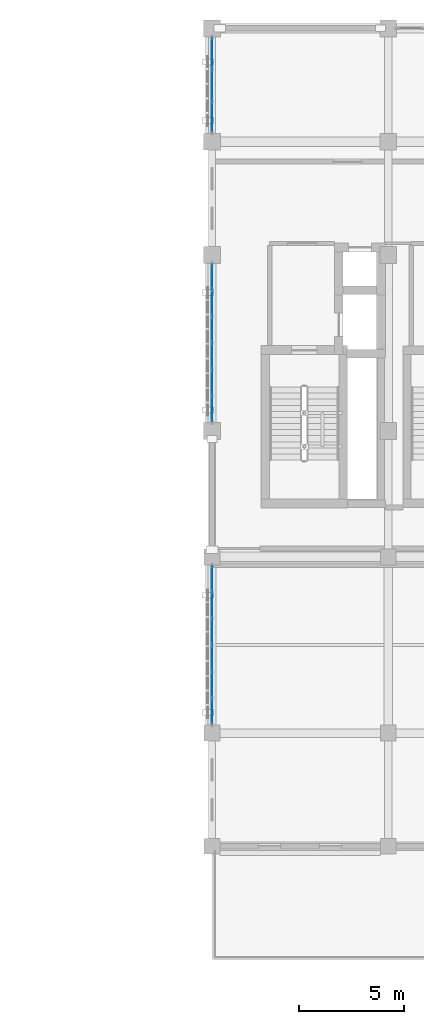
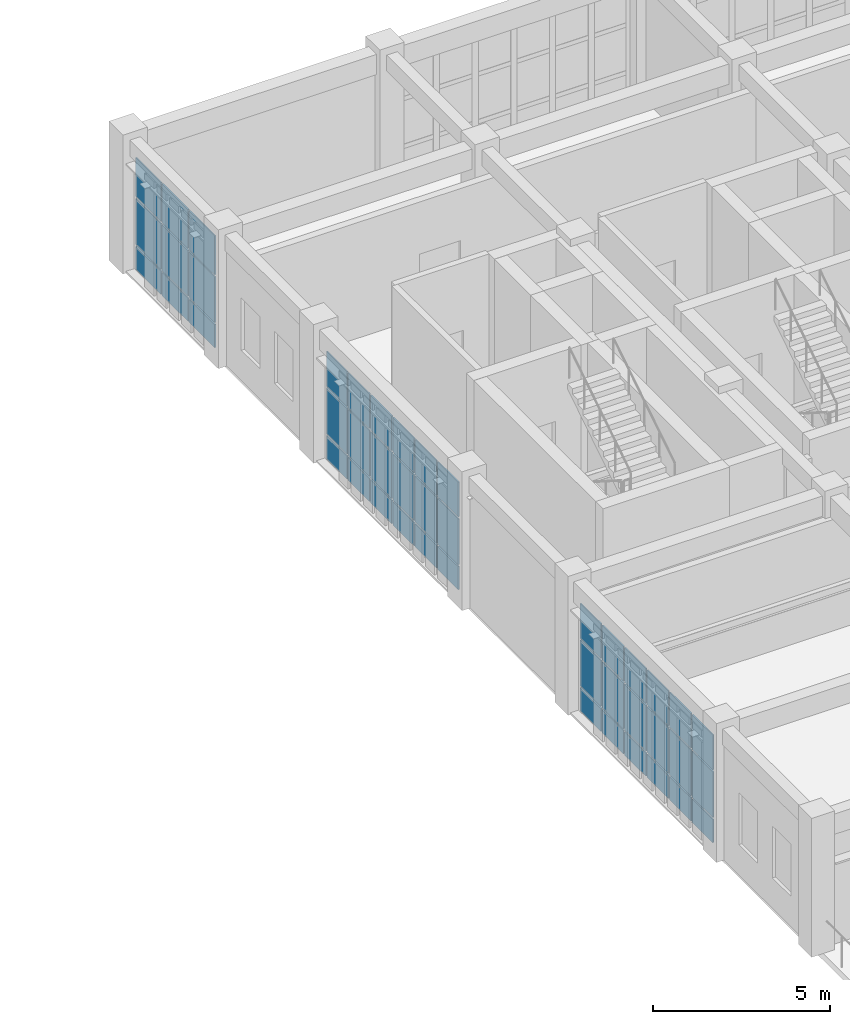
# One storey, part 58 of 76: 45 plates, 3 elements without a shape of their own.
"""IFC4 building model written with IfcOpenShell, lengths in metres."""

from ifc_helpers import new_model, si_unit, direction, frame, origin, origin_2d, place, context, subcontext, project, spatial, rectangle, extrude, material, layer, layer_set, type_object, element, aggregate, save


model = new_model("IFC4")

# Units and contexts
model_context = context("Model", 3, precision=1e-05, world=origin(), true_north=direction((0.0, 1.0)))
body_context = subcontext(model_context, "Body", "Model", "MODEL_VIEW")
ifc_project = project(units=[si_unit("LENGTHUNIT", "METRE"), si_unit("AREAUNIT", "SQUARE_METRE"), si_unit("VOLUMEUNIT", "CUBIC_METRE"), si_unit("PLANEANGLEUNIT", "RADIAN"), si_unit("MASSUNIT", "GRAM", prefix="KILO")], contexts=[model_context])

# Site, building, storey
site_placement = place(None, origin())
site = spatial("IfcSite", under=ifc_project, at=site_placement, CompositionType="ELEMENT")
building_placement = place(site_placement, origin())
building = spatial("IfcBuilding", under=site, at=building_placement, Name="Krzemoval Escarpment Law Courts", CompositionType="ELEMENT")
storey_placement = place(building_placement, frame((0.0, 0.0, 20.39990234375)))
storey = spatial("IfcBuildingStorey", under=building, at=storey_placement, Name="L04", CompositionType="ELEMENT", Elevation=20.39990234375)

# Curtain wall, plates
ifc_material_1 = material(Name="Aluminium 6063-T6", Category="aluminium")
ifc_layer_1 = layer(ifc_material_1, 0.219970703125)
ifc_layer_set_1 = layer_set([ifc_layer_1], Name="Aluminium 6063-T6")
curtain_wall_type = type_object("IfcCurtainWallType", Name="CW-CHMB-4200", PredefinedType="USERDEFINED", material=ifc_layer_set_1)
curtain_wall_1_placement = place(storey_placement, origin())
curtain_wall_1 = element("IfcCurtainWall", 1, at=curtain_wall_1_placement, inside=storey, type_object=curtain_wall_type, Name="Unitised Curtain Wall FCW-L04-123", ObjectType="UNITISED_CURTAIN_WALL", PredefinedType="USERDEFINED")
ifc_material_2 = material(Name="Triple Glazing IGU", Category="glass")
ifc_layer_2 = layer(ifc_material_2, 0.0419921875)
ifc_layer_set_2 = layer_set([ifc_layer_2], Name="Triple Glazing IGU")
plate_type = type_object("IfcPlateType", Name="CWP-GLZ-42", PredefinedType="CURTAIN_PANEL", material=ifc_layer_set_2)
plate_1_placement = place(storey_placement, frame((126.0, 86.228759765625, 0.06494140625), z_axis=(0.0, 0.0, 1.0), x_axis=(0.0, 1.0, 0.0)))
plate_1 = element("IfcPlate", 2, at=plate_1_placement, type_object=plate_type, Name="FCW-L04-123 panel 1.1", PredefinedType="CURTAIN_PANEL", context=body_context, shape_type="SweptSolid", body=[
    extrude(rectangle(XDim=1.177490234375, YDim=0.0419921875, at=origin_2d()), origin(), (0.0, 0.0, 1.0), 0.802490234375),
])
plate_2_placement = place(storey_placement, frame((126.0, 86.228759765625, 0.9326171875), z_axis=(0.0, 0.0, 1.0), x_axis=(0.0, 1.0, 0.0)))
plate_2 = element("IfcPlate", 3, at=plate_2_placement, type_object=plate_type, Name="FCW-L04-123 panel 1.2", PredefinedType="CURTAIN_PANEL", context=body_context, shape_type="SweptSolid", body=[
    extrude(rectangle(XDim=1.177490234375, YDim=0.0419921875, at=origin_2d()), origin(), (0.0, 0.0, 1.0), 1.5849609375),
])
plate_3_placement = place(storey_placement, frame((126.0, 86.228759765625, 2.58251953125), z_axis=(0.0, 0.0, 1.0), x_axis=(0.0, 1.0, 0.0)))
plate_3 = element("IfcPlate", 4, at=plate_3_placement, type_object=plate_type, Name="FCW-L04-123 panel 1.3", PredefinedType="CURTAIN_PANEL", context=body_context, shape_type="SweptSolid", body=[
    extrude(rectangle(XDim=1.177490234375, YDim=0.0419921875, at=origin_2d()), origin(), (0.0, 0.0, 1.0), 1.202392578125),
])
plate_4_placement = place(storey_placement, frame((126.0, 87.487548828125, 0.06494140625), z_axis=(0.0, 0.0, 1.0), x_axis=(0.0, 1.0, 0.0)))
plate_4 = element("IfcPlate", 5, at=plate_4_placement, type_object=plate_type, Name="FCW-L04-123 panel 2.1", PredefinedType="CURTAIN_PANEL", context=body_context, shape_type="SweptSolid", body=[
    extrude(rectangle(XDim=1.2099609375, YDim=0.0419921875, at=origin_2d()), origin(), (0.0, 0.0, 1.0), 0.802490234375),
])
plate_5_placement = place(storey_placement, frame((126.0, 87.487548828125, 0.9326171875), z_axis=(0.0, 0.0, 1.0), x_axis=(0.0, 1.0, 0.0)))
plate_5 = element("IfcPlate", 6, at=plate_5_placement, type_object=plate_type, Name="FCW-L04-123 panel 2.2", PredefinedType="CURTAIN_PANEL", context=body_context, shape_type="SweptSolid", body=[
    extrude(rectangle(XDim=1.2099609375, YDim=0.0419921875, at=origin_2d()), origin(), (0.0, 0.0, 1.0), 1.5849609375),
])
plate_6_placement = place(storey_placement, frame((126.0, 87.487548828125, 2.58251953125), z_axis=(0.0, 0.0, 1.0), x_axis=(0.0, 1.0, 0.0)))
plate_6 = element("IfcPlate", 7, at=plate_6_placement, type_object=plate_type, Name="FCW-L04-123 panel 2.3", PredefinedType="CURTAIN_PANEL", context=body_context, shape_type="SweptSolid", body=[
    extrude(rectangle(XDim=1.2099609375, YDim=0.0419921875, at=origin_2d()), origin(), (0.0, 0.0, 1.0), 1.202392578125),
])
plate_7_placement = place(storey_placement, frame((126.0, 88.762451171875, 0.06494140625), z_axis=(0.0, 0.0, 1.0), x_axis=(0.0, 1.0, 0.0)))
plate_7 = element("IfcPlate", 8, at=plate_7_placement, type_object=plate_type, Name="FCW-L04-123 panel 3.1", PredefinedType="CURTAIN_PANEL", context=body_context, shape_type="SweptSolid", body=[
    extrude(rectangle(XDim=1.2099609375, YDim=0.0419921875, at=origin_2d()), origin(), (0.0, 0.0, 1.0), 0.802490234375),
])
plate_8_placement = place(storey_placement, frame((126.0, 88.762451171875, 0.9326171875), z_axis=(0.0, 0.0, 1.0), x_axis=(0.0, 1.0, 0.0)))
plate_8 = element("IfcPlate", 9, at=plate_8_placement, type_object=plate_type, Name="FCW-L04-123 panel 3.2", PredefinedType="CURTAIN_PANEL", context=body_context, shape_type="SweptSolid", body=[
    extrude(rectangle(XDim=1.2099609375, YDim=0.0419921875, at=origin_2d()), origin(), (0.0, 0.0, 1.0), 1.5849609375),
])
plate_9_placement = place(storey_placement, frame((126.0, 88.762451171875, 2.58251953125), z_axis=(0.0, 0.0, 1.0), x_axis=(0.0, 1.0, 0.0)))
plate_9 = element("IfcPlate", 10, at=plate_9_placement, type_object=plate_type, Name="FCW-L04-123 panel 3.3", PredefinedType="CURTAIN_PANEL", context=body_context, shape_type="SweptSolid", body=[
    extrude(rectangle(XDim=1.2099609375, YDim=0.0419921875, at=origin_2d()), origin(), (0.0, 0.0, 1.0), 1.202392578125),
])
plate_10_placement = place(storey_placement, frame((126.0, 90.03759765625, 0.06494140625), z_axis=(0.0, 0.0, 1.0), x_axis=(0.0, 1.0, 0.0)))
plate_10 = element("IfcPlate", 11, at=plate_10_placement, type_object=plate_type, Name="FCW-L04-123 panel 4.1", PredefinedType="CURTAIN_PANEL", context=body_context, shape_type="SweptSolid", body=[
    extrude(rectangle(XDim=1.2099609375, YDim=0.0419921875, at=origin_2d()), origin(), (0.0, 0.0, 1.0), 0.802490234375),
])
plate_11_placement = place(storey_placement, frame((126.0, 90.03759765625, 0.9326171875), z_axis=(0.0, 0.0, 1.0), x_axis=(0.0, 1.0, 0.0)))
plate_11 = element("IfcPlate", 12, at=plate_11_placement, type_object=plate_type, Name="FCW-L04-123 panel 4.2", PredefinedType="CURTAIN_PANEL", context=body_context, shape_type="SweptSolid", body=[
    extrude(rectangle(XDim=1.2099609375, YDim=0.0419921875, at=origin_2d()), origin(), (0.0, 0.0, 1.0), 1.5849609375),
])
plate_12_placement = place(storey_placement, frame((126.0, 90.03759765625, 2.58251953125), z_axis=(0.0, 0.0, 1.0), x_axis=(0.0, 1.0, 0.0)))
plate_12 = element("IfcPlate", 13, at=plate_12_placement, type_object=plate_type, Name="FCW-L04-123 panel 4.3", PredefinedType="CURTAIN_PANEL", context=body_context, shape_type="SweptSolid", body=[
    extrude(rectangle(XDim=1.2099609375, YDim=0.0419921875, at=origin_2d()), origin(), (0.0, 0.0, 1.0), 1.202392578125),
])
plate_13_placement = place(storey_placement, frame((126.0, 91.3125, 0.06494140625), z_axis=(0.0, 0.0, 1.0), x_axis=(0.0, 1.0, 0.0)))
plate_13 = element("IfcPlate", 14, at=plate_13_placement, type_object=plate_type, Name="FCW-L04-123 panel 5.1", PredefinedType="CURTAIN_PANEL", context=body_context, shape_type="SweptSolid", body=[
    extrude(rectangle(XDim=1.2099609375, YDim=0.0419921875, at=origin_2d()), origin(), (0.0, 0.0, 1.0), 0.802490234375),
])
plate_14_placement = place(storey_placement, frame((126.0, 91.3125, 0.9326171875), z_axis=(0.0, 0.0, 1.0), x_axis=(0.0, 1.0, 0.0)))
plate_14 = element("IfcPlate", 15, at=plate_14_placement, type_object=plate_type, Name="FCW-L04-123 panel 5.2", PredefinedType="CURTAIN_PANEL", context=body_context, shape_type="SweptSolid", body=[
    extrude(rectangle(XDim=1.2099609375, YDim=0.0419921875, at=origin_2d()), origin(), (0.0, 0.0, 1.0), 1.5849609375),
])
plate_15_placement = place(storey_placement, frame((126.0, 91.3125, 2.58251953125), z_axis=(0.0, 0.0, 1.0), x_axis=(0.0, 1.0, 0.0)))
plate_15 = element("IfcPlate", 16, at=plate_15_placement, type_object=plate_type, Name="FCW-L04-123 panel 5.3", PredefinedType="CURTAIN_PANEL", context=body_context, shape_type="SweptSolid", body=[
    extrude(rectangle(XDim=1.2099609375, YDim=0.0419921875, at=origin_2d()), origin(), (0.0, 0.0, 1.0), 1.202392578125),
])
plate_16_placement = place(storey_placement, frame((126.0, 92.5712890625, 0.06494140625), z_axis=(0.0, 0.0, 1.0), x_axis=(0.0, 1.0, 0.0)))
plate_16 = element("IfcPlate", 17, at=plate_16_placement, type_object=plate_type, Name="FCW-L04-123 panel 6.1", PredefinedType="CURTAIN_PANEL", context=body_context, shape_type="SweptSolid", body=[
    extrude(rectangle(XDim=1.177490234375, YDim=0.0419921875, at=origin_2d()), origin(), (0.0, 0.0, 1.0), 0.802490234375),
])
plate_17_placement = place(storey_placement, frame((126.0, 92.5712890625, 0.9326171875), z_axis=(0.0, 0.0, 1.0), x_axis=(0.0, 1.0, 0.0)))
plate_17 = element("IfcPlate", 18, at=plate_17_placement, type_object=plate_type, Name="FCW-L04-123 panel 6.2", PredefinedType="CURTAIN_PANEL", context=body_context, shape_type="SweptSolid", body=[
    extrude(rectangle(XDim=1.177490234375, YDim=0.0419921875, at=origin_2d()), origin(), (0.0, 0.0, 1.0), 1.5849609375),
])
plate_18_placement = place(storey_placement, frame((126.0, 92.5712890625, 2.58251953125), z_axis=(0.0, 0.0, 1.0), x_axis=(0.0, 1.0, 0.0)))
plate_18 = element("IfcPlate", 19, at=plate_18_placement, type_object=plate_type, Name="FCW-L04-123 panel 6.3", PredefinedType="CURTAIN_PANEL", context=body_context, shape_type="SweptSolid", body=[
    extrude(rectangle(XDim=1.177490234375, YDim=0.0419921875, at=origin_2d()), origin(), (0.0, 0.0, 1.0), 1.202392578125),
])
aggregate(curtain_wall_1, [plate_1, plate_2, plate_3, plate_4, plate_5, plate_6, plate_7, plate_8, plate_9, plate_10, plate_11, plate_12, plate_13, plate_14, plate_15, plate_16, plate_17, plate_18])

curtain_wall_2_placement = place(storey_placement, origin())
curtain_wall_2 = element("IfcCurtainWall", 20, at=curtain_wall_2_placement, inside=storey, type_object=curtain_wall_type, Name="Unitised Curtain Wall FCW-L04-124", ObjectType="UNITISED_CURTAIN_WALL", PredefinedType="USERDEFINED")
plate_19_placement = place(storey_placement, frame((126.0, 100.649658203125, 0.06494140625), z_axis=(0.0, 0.0, 1.0), x_axis=(0.0, 1.0, 0.0)))
plate_19 = element("IfcPlate", 21, at=plate_19_placement, type_object=plate_type, Name="FCW-L04-124 panel 1.1", PredefinedType="CURTAIN_PANEL", context=body_context, shape_type="SweptSolid", body=[
    extrude(rectangle(XDim=1.169189453125, YDim=0.0419921875, at=origin_2d()), origin(), (0.0, 0.0, 1.0), 0.802490234375),
])
plate_20_placement = place(storey_placement, frame((126.0, 100.649658203125, 0.9326171875), z_axis=(0.0, 0.0, 1.0), x_axis=(0.0, 1.0, 0.0)))
plate_20 = element("IfcPlate", 22, at=plate_20_placement, type_object=plate_type, Name="FCW-L04-124 panel 1.2", PredefinedType="CURTAIN_PANEL", context=body_context, shape_type="SweptSolid", body=[
    extrude(rectangle(XDim=1.169189453125, YDim=0.0419921875, at=origin_2d()), origin(), (0.0, 0.0, 1.0), 1.5849609375),
])
plate_21_placement = place(storey_placement, frame((126.0, 100.649658203125, 2.58251953125), z_axis=(0.0, 0.0, 1.0), x_axis=(0.0, 1.0, 0.0)))
plate_21 = element("IfcPlate", 23, at=plate_21_placement, type_object=plate_type, Name="FCW-L04-124 panel 1.3", PredefinedType="CURTAIN_PANEL", context=body_context, shape_type="SweptSolid", body=[
    extrude(rectangle(XDim=1.169189453125, YDim=0.0419921875, at=origin_2d()), origin(), (0.0, 0.0, 1.0), 1.202392578125),
])
plate_22_placement = place(storey_placement, frame((126.0, 101.89990234375, 0.06494140625), z_axis=(0.0, 0.0, 1.0), x_axis=(0.0, 1.0, 0.0)))
plate_22 = element("IfcPlate", 24, at=plate_22_placement, type_object=plate_type, Name="FCW-L04-124 panel 2.1", PredefinedType="CURTAIN_PANEL", context=body_context, shape_type="SweptSolid", body=[
    extrude(rectangle(XDim=1.20166015625, YDim=0.0419921875, at=origin_2d()), origin(), (0.0, 0.0, 1.0), 0.802490234375),
])
plate_23_placement = place(storey_placement, frame((126.0, 101.89990234375, 0.9326171875), z_axis=(0.0, 0.0, 1.0), x_axis=(0.0, 1.0, 0.0)))
plate_23 = element("IfcPlate", 25, at=plate_23_placement, type_object=plate_type, Name="FCW-L04-124 panel 2.2", PredefinedType="CURTAIN_PANEL", context=body_context, shape_type="SweptSolid", body=[
    extrude(rectangle(XDim=1.20166015625, YDim=0.0419921875, at=origin_2d()), origin(), (0.0, 0.0, 1.0), 1.5849609375),
])
plate_24_placement = place(storey_placement, frame((126.0, 101.89990234375, 2.58251953125), z_axis=(0.0, 0.0, 1.0), x_axis=(0.0, 1.0, 0.0)))
plate_24 = element("IfcPlate", 26, at=plate_24_placement, type_object=plate_type, Name="FCW-L04-124 panel 2.3", PredefinedType="CURTAIN_PANEL", context=body_context, shape_type="SweptSolid", body=[
    extrude(rectangle(XDim=1.20166015625, YDim=0.0419921875, at=origin_2d()), origin(), (0.0, 0.0, 1.0), 1.202392578125),
])
plate_25_placement = place(storey_placement, frame((126.0, 103.166748046875, 0.06494140625), z_axis=(0.0, 0.0, 1.0), x_axis=(0.0, 1.0, 0.0)))
plate_25 = element("IfcPlate", 27, at=plate_25_placement, type_object=plate_type, Name="FCW-L04-124 panel 3.1", PredefinedType="CURTAIN_PANEL", context=body_context, shape_type="SweptSolid", body=[
    extrude(rectangle(XDim=1.20166015625, YDim=0.0419921875, at=origin_2d()), origin(), (0.0, 0.0, 1.0), 0.802490234375),
])
plate_26_placement = place(storey_placement, frame((126.0, 103.166748046875, 0.9326171875), z_axis=(0.0, 0.0, 1.0), x_axis=(0.0, 1.0, 0.0)))
plate_26 = element("IfcPlate", 28, at=plate_26_placement, type_object=plate_type, Name="FCW-L04-124 panel 3.2", PredefinedType="CURTAIN_PANEL", context=body_context, shape_type="SweptSolid", body=[
    extrude(rectangle(XDim=1.20166015625, YDim=0.0419921875, at=origin_2d()), origin(), (0.0, 0.0, 1.0), 1.5849609375),
])
plate_27_placement = place(storey_placement, frame((126.0, 103.166748046875, 2.58251953125), z_axis=(0.0, 0.0, 1.0), x_axis=(0.0, 1.0, 0.0)))
plate_27 = element("IfcPlate", 29, at=plate_27_placement, type_object=plate_type, Name="FCW-L04-124 panel 3.3", PredefinedType="CURTAIN_PANEL", context=body_context, shape_type="SweptSolid", body=[
    extrude(rectangle(XDim=1.20166015625, YDim=0.0419921875, at=origin_2d()), origin(), (0.0, 0.0, 1.0), 1.202392578125),
])
plate_28_placement = place(storey_placement, frame((126.0, 104.433349609375, 0.06494140625), z_axis=(0.0, 0.0, 1.0), x_axis=(0.0, 1.0, 0.0)))
plate_28 = element("IfcPlate", 30, at=plate_28_placement, type_object=plate_type, Name="FCW-L04-124 panel 4.1", PredefinedType="CURTAIN_PANEL", context=body_context, shape_type="SweptSolid", body=[
    extrude(rectangle(XDim=1.20166015625, YDim=0.0419921875, at=origin_2d()), origin(), (0.0, 0.0, 1.0), 0.802490234375),
])
plate_29_placement = place(storey_placement, frame((126.0, 104.433349609375, 0.9326171875), z_axis=(0.0, 0.0, 1.0), x_axis=(0.0, 1.0, 0.0)))
plate_29 = element("IfcPlate", 31, at=plate_29_placement, type_object=plate_type, Name="FCW-L04-124 panel 4.2", PredefinedType="CURTAIN_PANEL", context=body_context, shape_type="SweptSolid", body=[
    extrude(rectangle(XDim=1.20166015625, YDim=0.0419921875, at=origin_2d()), origin(), (0.0, 0.0, 1.0), 1.5849609375),
])
plate_30_placement = place(storey_placement, frame((126.0, 104.433349609375, 2.58251953125), z_axis=(0.0, 0.0, 1.0), x_axis=(0.0, 1.0, 0.0)))
plate_30 = element("IfcPlate", 32, at=plate_30_placement, type_object=plate_type, Name="FCW-L04-124 panel 4.3", PredefinedType="CURTAIN_PANEL", context=body_context, shape_type="SweptSolid", body=[
    extrude(rectangle(XDim=1.20166015625, YDim=0.0419921875, at=origin_2d()), origin(), (0.0, 0.0, 1.0), 1.202392578125),
])
plate_31_placement = place(storey_placement, frame((126.0, 105.699951171875, 0.06494140625), z_axis=(0.0, 0.0, 1.0), x_axis=(0.0, 1.0, 0.0)))
plate_31 = element("IfcPlate", 33, at=plate_31_placement, type_object=plate_type, Name="FCW-L04-124 panel 5.1", PredefinedType="CURTAIN_PANEL", context=body_context, shape_type="SweptSolid", body=[
    extrude(rectangle(XDim=1.20166015625, YDim=0.0419921875, at=origin_2d()), origin(), (0.0, 0.0, 1.0), 0.802490234375),
])
plate_32_placement = place(storey_placement, frame((126.0, 105.699951171875, 0.9326171875), z_axis=(0.0, 0.0, 1.0), x_axis=(0.0, 1.0, 0.0)))
plate_32 = element("IfcPlate", 34, at=plate_32_placement, type_object=plate_type, Name="FCW-L04-124 panel 5.2", PredefinedType="CURTAIN_PANEL", context=body_context, shape_type="SweptSolid", body=[
    extrude(rectangle(XDim=1.20166015625, YDim=0.0419921875, at=origin_2d()), origin(), (0.0, 0.0, 1.0), 1.5849609375),
])
plate_33_placement = place(storey_placement, frame((126.0, 105.699951171875, 2.58251953125), z_axis=(0.0, 0.0, 1.0), x_axis=(0.0, 1.0, 0.0)))
plate_33 = element("IfcPlate", 35, at=plate_33_placement, type_object=plate_type, Name="FCW-L04-124 panel 5.3", PredefinedType="CURTAIN_PANEL", context=body_context, shape_type="SweptSolid", body=[
    extrude(rectangle(XDim=1.20166015625, YDim=0.0419921875, at=origin_2d()), origin(), (0.0, 0.0, 1.0), 1.202392578125),
])
plate_34_placement = place(storey_placement, frame((126.0, 106.950439453125, 0.06494140625), z_axis=(0.0, 0.0, 1.0), x_axis=(0.0, 1.0, 0.0)))
plate_34 = element("IfcPlate", 36, at=plate_34_placement, type_object=plate_type, Name="FCW-L04-124 panel 6.1", PredefinedType="CURTAIN_PANEL", context=body_context, shape_type="SweptSolid", body=[
    extrude(rectangle(XDim=1.169189453125, YDim=0.0419921875, at=origin_2d()), origin(), (0.0, 0.0, 1.0), 0.802490234375),
])
plate_35_placement = place(storey_placement, frame((126.0, 106.950439453125, 0.9326171875), z_axis=(0.0, 0.0, 1.0), x_axis=(0.0, 1.0, 0.0)))
plate_35 = element("IfcPlate", 37, at=plate_35_placement, type_object=plate_type, Name="FCW-L04-124 panel 6.2", PredefinedType="CURTAIN_PANEL", context=body_context, shape_type="SweptSolid", body=[
    extrude(rectangle(XDim=1.169189453125, YDim=0.0419921875, at=origin_2d()), origin(), (0.0, 0.0, 1.0), 1.5849609375),
])
plate_36_placement = place(storey_placement, frame((126.0, 106.950439453125, 2.58251953125), z_axis=(0.0, 0.0, 1.0), x_axis=(0.0, 1.0, 0.0)))
plate_36 = element("IfcPlate", 38, at=plate_36_placement, type_object=plate_type, Name="FCW-L04-124 panel 6.3", PredefinedType="CURTAIN_PANEL", context=body_context, shape_type="SweptSolid", body=[
    extrude(rectangle(XDim=1.169189453125, YDim=0.0419921875, at=origin_2d()), origin(), (0.0, 0.0, 1.0), 1.202392578125),
])
aggregate(curtain_wall_2, [plate_19, plate_20, plate_21, plate_22, plate_23, plate_24, plate_25, plate_26, plate_27, plate_28, plate_29, plate_30, plate_31, plate_32, plate_33, plate_34, plate_35, plate_36])

curtain_wall_3_placement = place(storey_placement, origin())
curtain_wall_3 = element("IfcCurtainWall", 39, at=curtain_wall_3_placement, inside=storey, type_object=curtain_wall_type, Name="Unitised Curtain Wall FCW-L04-125", ObjectType="UNITISED_CURTAIN_WALL", PredefinedType="USERDEFINED")
plate_37_placement = place(storey_placement, frame((126.0, 114.5830078125, 0.06494140625), z_axis=(0.0, 0.0, 1.0), x_axis=(0.0, 1.0, 0.0)))
plate_37 = element("IfcPlate", 40, at=plate_37_placement, type_object=plate_type, Name="FCW-L04-125 panel 1.1", PredefinedType="CURTAIN_PANEL", context=body_context, shape_type="SweptSolid", body=[
    extrude(rectangle(XDim=1.435791015625, YDim=0.0419921875, at=origin_2d()), origin(), (0.0, 0.0, 1.0), 0.802490234375),
])
plate_38_placement = place(storey_placement, frame((126.0, 114.5830078125, 0.9326171875), z_axis=(0.0, 0.0, 1.0), x_axis=(0.0, 1.0, 0.0)))
plate_38 = element("IfcPlate", 41, at=plate_38_placement, type_object=plate_type, Name="FCW-L04-125 panel 1.2", PredefinedType="CURTAIN_PANEL", context=body_context, shape_type="SweptSolid", body=[
    extrude(rectangle(XDim=1.435791015625, YDim=0.0419921875, at=origin_2d()), origin(), (0.0, 0.0, 1.0), 1.5849609375),
])
plate_39_placement = place(storey_placement, frame((126.0, 114.5830078125, 2.58251953125), z_axis=(0.0, 0.0, 1.0), x_axis=(0.0, 1.0, 0.0)))
plate_39 = element("IfcPlate", 42, at=plate_39_placement, type_object=plate_type, Name="FCW-L04-125 panel 1.3", PredefinedType="CURTAIN_PANEL", context=body_context, shape_type="SweptSolid", body=[
    extrude(rectangle(XDim=1.435791015625, YDim=0.0419921875, at=origin_2d()), origin(), (0.0, 0.0, 1.0), 1.3525390625),
])
plate_40_placement = place(storey_placement, frame((126.0, 116.10009765625, 0.06494140625), z_axis=(0.0, 0.0, 1.0), x_axis=(0.0, 1.0, 0.0)))
plate_40 = element("IfcPlate", 43, at=plate_40_placement, type_object=plate_type, Name="FCW-L04-125 panel 2.1", PredefinedType="CURTAIN_PANEL", context=body_context, shape_type="SweptSolid", body=[
    extrude(rectangle(XDim=1.46826171875, YDim=0.0419921875, at=origin_2d()), origin(), (0.0, 0.0, 1.0), 0.802490234375),
])
plate_41_placement = place(storey_placement, frame((126.0, 116.10009765625, 0.9326171875), z_axis=(0.0, 0.0, 1.0), x_axis=(0.0, 1.0, 0.0)))
plate_41 = element("IfcPlate", 44, at=plate_41_placement, type_object=plate_type, Name="FCW-L04-125 panel 2.2", PredefinedType="CURTAIN_PANEL", context=body_context, shape_type="SweptSolid", body=[
    extrude(rectangle(XDim=1.46826171875, YDim=0.0419921875, at=origin_2d()), origin(), (0.0, 0.0, 1.0), 1.5849609375),
])
plate_42_placement = place(storey_placement, frame((126.0, 116.10009765625, 2.58251953125), z_axis=(0.0, 0.0, 1.0), x_axis=(0.0, 1.0, 0.0)))
plate_42 = element("IfcPlate", 45, at=plate_42_placement, type_object=plate_type, Name="FCW-L04-125 panel 2.3", PredefinedType="CURTAIN_PANEL", context=body_context, shape_type="SweptSolid", body=[
    extrude(rectangle(XDim=1.46826171875, YDim=0.0419921875, at=origin_2d()), origin(), (0.0, 0.0, 1.0), 1.3525390625),
])
plate_43_placement = place(storey_placement, frame((126.0, 117.6171875, 0.06494140625), z_axis=(0.0, 0.0, 1.0), x_axis=(0.0, 1.0, 0.0)))
plate_43 = element("IfcPlate", 46, at=plate_43_placement, type_object=plate_type, Name="FCW-L04-125 panel 3.1", PredefinedType="CURTAIN_PANEL", context=body_context, shape_type="SweptSolid", body=[
    extrude(rectangle(XDim=1.435791015625, YDim=0.0419921875, at=origin_2d()), origin(), (0.0, 0.0, 1.0), 0.802490234375),
])
plate_44_placement = place(storey_placement, frame((126.0, 117.6171875, 0.9326171875), z_axis=(0.0, 0.0, 1.0), x_axis=(0.0, 1.0, 0.0)))
plate_44 = element("IfcPlate", 47, at=plate_44_placement, type_object=plate_type, Name="FCW-L04-125 panel 3.2", PredefinedType="CURTAIN_PANEL", context=body_context, shape_type="SweptSolid", body=[
    extrude(rectangle(XDim=1.435791015625, YDim=0.0419921875, at=origin_2d()), origin(), (0.0, 0.0, 1.0), 1.5849609375),
])
plate_45_placement = place(storey_placement, frame((126.0, 117.6171875, 2.58251953125), z_axis=(0.0, 0.0, 1.0), x_axis=(0.0, 1.0, 0.0)))
plate_45 = element("IfcPlate", 48, at=plate_45_placement, type_object=plate_type, Name="FCW-L04-125 panel 3.3", PredefinedType="CURTAIN_PANEL", context=body_context, shape_type="SweptSolid", body=[
    extrude(rectangle(XDim=1.435791015625, YDim=0.0419921875, at=origin_2d()), origin(), (0.0, 0.0, 1.0), 1.3525390625),
])
aggregate(curtain_wall_3, [plate_37, plate_38, plate_39, plate_40, plate_41, plate_42, plate_43, plate_44, plate_45])

save(model, "model.ifc")
